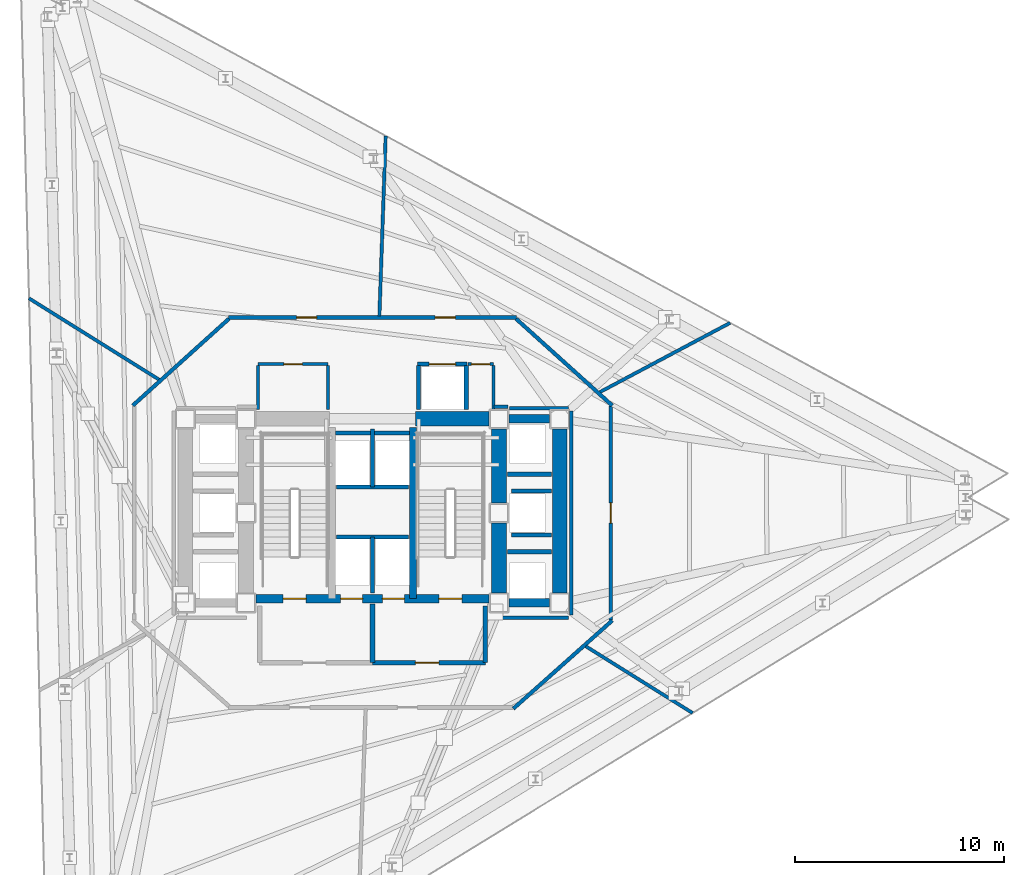
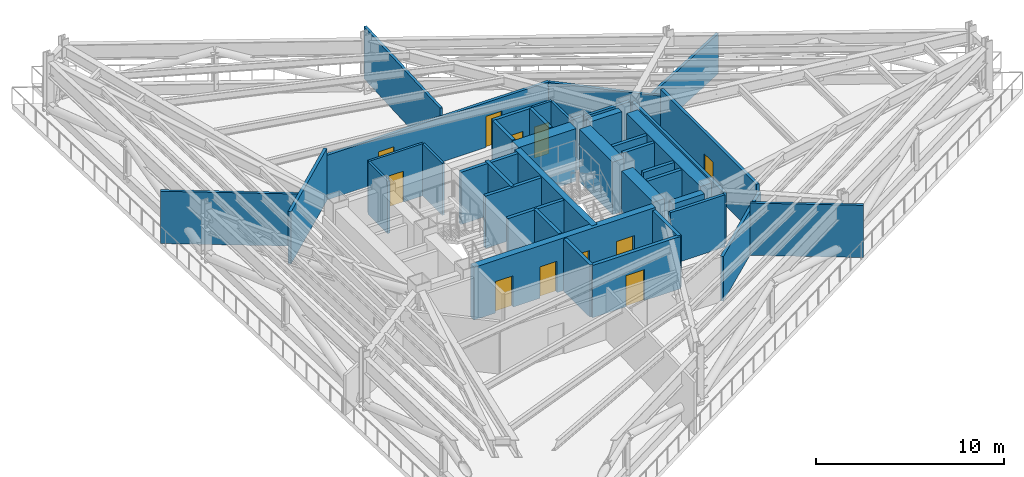
# One storey, part 6 of 10: 41 walls, 11 doors, 11 openings.
"""IFC4 building model written with IfcOpenShell, lengths in metres."""

from ifc_helpers import new_model, si_unit, direction, frame, frame_2d, origin, place, context, subcontext, project, spatial, rectangle, extrude, material, layer, layer_set, type_object, element, fill, save


model = new_model("IFC4")

# Units and contexts
model_context = context("Model", 3, precision=1e-05, world=origin(), true_north=direction((0.0, 1.0)))
body_context = subcontext(model_context, "Body", "Model", "MODEL_VIEW")
ifc_project = project(units=[si_unit("LENGTHUNIT", "METRE"), si_unit("AREAUNIT", "SQUARE_METRE"), si_unit("VOLUMEUNIT", "CUBIC_METRE"), si_unit("PLANEANGLEUNIT", "RADIAN"), si_unit("MASSUNIT", "GRAM", prefix="KILO")], contexts=[model_context])

# Site, building, storey
site_placement = place(None, origin())
site = spatial("IfcSite", under=ifc_project, at=site_placement, CompositionType="ELEMENT")
building_placement = place(site_placement, origin())
building = spatial("IfcBuilding", under=site, at=building_placement, Name="Rocaltana Carrier Exchange", CompositionType="ELEMENT")
storey_placement = place(building_placement, frame((0.0, 0.0, 45.760009765625)))
storey = spatial("IfcBuildingStorey", under=building, at=storey_placement, Name="L14", CompositionType="ELEMENT", Elevation=45.760009765625)

# Walls
ifc_material_1 = material(Name="Double Acoustic Gypsum Partition", Category="gypsum")
ifc_layer_1 = layer(ifc_material_1, 0.159912109375)
ifc_layer_set_1 = layer_set([ifc_layer_1], Name="Double Acoustic Gypsum Partition")
wall_type_1 = type_object("IfcWallType", Name="Acoustic Studio Partition 160 EI60", PredefinedType="PARTITIONING", material=ifc_layer_set_1)
wall_1_placement = place(storey_placement, frame((10.201904296875, -6.375, 0.0), z_axis=(0.0, 0.0, 1.0), x_axis=(0.848052957344, -0.529911484627, 0.0)))
element("IfcWall", 1, at=wall_1_placement, inside=storey, type_object=wall_type_1, Name="L14 Suite Divider Wall D3", PredefinedType="PARTITIONING", context=body_context, shape_type="SweptSolid", body=[
    extrude(rectangle(XDim=6.0224609375, YDim=0.159912109375, at=frame_2d((3.01123046875, 0.0))), origin(), (0.0, 0.0, 1.0), 3.39306640625),
])
wall_2_placement = place(storey_placement, frame((10.874267578125, 5.781982421875, 0.0), z_axis=(0.0, 0.0, 1.0), x_axis=(0.882939204237, 0.469487339149, 0.0)))
element("IfcWall", 2, at=wall_2_placement, inside=storey, type_object=wall_type_1, Name="L14 Suite Divider Wall D4", PredefinedType="PARTITIONING", context=body_context, shape_type="SweptSolid", body=[
    extrude(rectangle(XDim=7.05810546875, YDim=0.159912109375, at=frame_2d((3.529052734375, 0.0))), origin(), (0.0, 0.0, 1.0), 2.60009765625),
])
wall_3_placement = place(storey_placement, frame((0.329345703125, 9.429931640625, 0.0), z_axis=(0.0, 0.0, 1.0), x_axis=(0.034877981251, 0.999391578123, 0.0)))
element("IfcWall", 3, at=wall_3_placement, inside=storey, type_object=wall_type_1, Name="L14 Suite Divider Wall D5", PredefinedType="PARTITIONING", context=body_context, shape_type="SweptSolid", body=[
    extrude(rectangle(XDim=8.61669921875, YDim=0.159912109375, at=frame_2d((4.308349609375, 0.0))), origin(), (0.0, 0.0, 1.0), 3.39306640625),
])
wall_4_placement = place(storey_placement, frame((-10.2109375, 6.380615234375, 0.0), z_axis=(0.0, 0.0, 1.0), x_axis=(-0.848061887973, 0.529897192073, 0.0)))
element("IfcWall", 4, at=wall_4_placement, inside=storey, type_object=wall_type_1, Name="L14 Suite Divider Wall D6", PredefinedType="PARTITIONING", context=body_context, shape_type="SweptSolid", body=[
    extrude(rectangle(XDim=7.33349609375, YDim=0.159912109375, at=frame_2d((3.666748046875, 0.0))), origin(), (0.0, 0.0, 1.0), 3.39306640625),
])
ifc_material_2 = material(Name="Concrete C50/60", Category="concrete")
ifc_layer_2 = layer(ifc_material_2, 0.35009765625)
ifc_layer_set_2 = layer_set([ifc_layer_2], Name="Concrete C50/60")
wall_type_2 = type_object("IfcWallType", Name="Core Internal Shear Wall 350", PredefinedType="SHEAR", material=ifc_layer_set_2)
wall_5_placement = place(storey_placement, frame((1.93994140625, -4.10009765625, 0.0), z_axis=(0.0, 0.0, 1.0), x_axis=(0.0, 1.0, 0.0)))
element("IfcWall", 5, at=wall_5_placement, inside=storey, type_object=wall_type_2, Name="L14 Core Shear Wall CW-STE", PredefinedType="SHEAR", context=body_context, shape_type="SweptSolid", body=[
    extrude(rectangle(XDim=8.2001953125, YDim=0.35009765625, at=frame_2d((4.10009765625, 0.0))), origin(), (0.0, 0.0, 1.0), 3.41796875),
])

# Wall, openings, doors
ifc_material_3 = material(Name="Concrete C50/60", Category="concrete")
ifc_layer_3 = layer(ifc_material_3, 0.39990234375)
ifc_layer_set_3 = layer_set([ifc_layer_3], Name="Concrete C50/60")
wall_type_3 = type_object("IfcWallType", Name="Core Internal Shear Wall 400", PredefinedType="SHEAR", material=ifc_layer_set_3)
wall_6_placement = place(storey_placement, frame((-5.574951171875, -4.10009765625, 0.0), z_axis=(0.0, 0.0, 1.0), x_axis=(1.0, 0.0, 0.0)))
wall_6 = element("IfcWall", 6, at=wall_6_placement, inside=storey, type_object=wall_type_3, Name="L14 Core Shear Wall CW-S", PredefinedType="SHEAR", context=body_context, shape_type="SweptSolid", body=[
    extrude(rectangle(XDim=11.14990234375, YDim=0.39990234375, at=frame_2d((5.574951171875, 0.0))), origin(), (0.0, 0.0, 1.0), 3.41796875),
])
opening_1_placement = place(wall_6_placement, frame((1.304931640625, 0.0, 0.0)))
opening_1 = element("IfcOpeningElement", 7, at=opening_1_placement, cuts=wall_6, Name="Opening D-ST110", PredefinedType="OPENING", context=body_context, shape_type="SweptSolid", body=[
    extrude(rectangle(XDim=1.10009765625, YDim=2.0400390625, at=frame_2d((0.550048828125, 1.02001953125))), frame((0.0, 0.2099609375, 0.0), z_axis=(0.0, -1.0, 0.0), x_axis=(1.0, 0.0, 0.0)), (0.0, 0.0, 1.0), 0.419921875),
])
opening_2_placement = place(wall_6_placement, frame((8.7451171875, 0.0, 0.0)))
opening_2 = element("IfcOpeningElement", 8, at=opening_2_placement, cuts=wall_6, Name="Opening D-ST110", PredefinedType="OPENING", context=body_context, shape_type="SweptSolid", body=[
    extrude(rectangle(XDim=1.10009765625, YDim=2.0400390625, at=frame_2d((0.550048828125, 1.02001953125))), frame((0.0, 0.2099609375, 0.0), z_axis=(0.0, -1.0, 0.0), x_axis=(1.0, 0.0, 0.0)), (0.0, 0.0, 1.0), 0.419921875),
])
opening_3_placement = place(wall_6_placement, frame((4.044921875, 0.0, 0.0)))
opening_3 = element("IfcOpeningElement", 9, at=opening_3_placement, cuts=wall_6, Name="Opening LD-110", PredefinedType="OPENING", context=body_context, shape_type="SweptSolid", body=[
    extrude(rectangle(XDim=1.06005859375, YDim=2.0400390625, at=frame_2d((0.530029296875, 1.02001953125))), frame((0.0, 0.2099609375, 0.0), z_axis=(0.0, -1.0, 0.0), x_axis=(1.0, 0.0, 0.0)), (0.0, 0.0, 1.0), 0.419921875),
])
opening_4_placement = place(wall_6_placement, frame((6.044921875, 0.0, 0.0)))
opening_4 = element("IfcOpeningElement", 10, at=opening_4_placement, cuts=wall_6, Name="Opening LD-110", PredefinedType="OPENING", context=body_context, shape_type="SweptSolid", body=[
    extrude(rectangle(XDim=1.06005859375, YDim=2.0400390625, at=frame_2d((0.530029296875, 1.02001953125))), frame((0.0, 0.2099609375, 0.0), z_axis=(0.0, -1.0, 0.0), x_axis=(1.0, 0.0, 0.0)), (0.0, 0.0, 1.0), 0.419921875),
])
ifc_material_4 = material(Name="Hollow Metal Fire Door Assembly", Category="steel")
door_type_1 = type_object("IfcDoorType", Name="Exit Stair Fire Door 1100x2040 FD90S", OperationType="NOTDEFINED", PredefinedType="DOOR", material=ifc_material_4)
door_1_placement = place(opening_1_placement, origin())
door_1 = element("IfcDoor", 11, at=door_1_placement, inside=storey, type_object=door_type_1, Name="L14 Exit Stair ST1 Fire Door", OperationType="SINGLE_SWING_RIGHT", OverallHeight=2.0400390625, OverallWidth=1.10009765625, PredefinedType="DOOR", context=body_context, shape_type="SweptSolid", body=[
    extrude(rectangle(XDim=1.10009765625, YDim=2.0400390625, at=frame_2d((0.550048828125, 1.02001953125))), frame((0.0, 0.02490234375, 0.0), z_axis=(0.0, -1.0, 0.0), x_axis=(1.0, 0.0, 0.0)), (0.0, 0.0, 1.0), 0.050048828125),
])
fill(opening_1, door_1)
door_2_placement = place(opening_2_placement, origin())
door_2 = element("IfcDoor", 12, at=door_2_placement, inside=storey, type_object=door_type_1, Name="L14 Exit Stair ST2 Fire Door", OperationType="SINGLE_SWING_LEFT", OverallHeight=2.0400390625, OverallWidth=1.10009765625, PredefinedType="DOOR", context=body_context, shape_type="SweptSolid", body=[
    extrude(rectangle(XDim=1.10009765625, YDim=2.0400390625, at=frame_2d((0.550048828125, 1.02001953125))), frame((0.0, 0.02490234375, 0.0), z_axis=(0.0, -1.0, 0.0), x_axis=(1.0, 0.0, 0.0)), (0.0, 0.0, 1.0), 0.050048828125),
])
fill(opening_2, door_2)
ifc_material_5 = material(Name="Brushed Stainless Sliding Door Leaf", Category="steel")
door_type_2 = type_object("IfcDoorType", Name="Lift Landing Sliding Door 1060x2040", OperationType="NOTDEFINED", PredefinedType="DOOR", material=ifc_material_5)
door_3_placement = place(opening_3_placement, origin())
door_3 = element("IfcDoor", 13, at=door_3_placement, inside=storey, type_object=door_type_2, Name="L14 Firefighting Lift FFL1 Landing Door", OperationType="SLIDING_TO_LEFT", OverallHeight=2.0400390625, OverallWidth=1.06005859375, PredefinedType="DOOR", context=body_context, shape_type="SweptSolid", body=[
    extrude(rectangle(XDim=1.06005859375, YDim=2.0400390625, at=frame_2d((0.530029296875, 1.02001953125))), frame((0.0, 0.02490234375, 0.0), z_axis=(0.0, -1.0, 0.0), x_axis=(1.0, 0.0, 0.0)), (0.0, 0.0, 1.0), 0.050048828125),
])
fill(opening_3, door_3)
door_4_placement = place(opening_4_placement, origin())
door_4 = element("IfcDoor", 14, at=door_4_placement, inside=storey, type_object=door_type_2, Name="L14 Firefighting Lift FFL2 Landing Door", OperationType="SLIDING_TO_RIGHT", OverallHeight=2.0400390625, OverallWidth=1.06005859375, PredefinedType="DOOR", context=body_context, shape_type="SweptSolid", body=[
    extrude(rectangle(XDim=1.06005859375, YDim=2.0400390625, at=frame_2d((0.530029296875, 1.02001953125))), frame((0.0, 0.02490234375, 0.0), z_axis=(0.0, -1.0, 0.0), x_axis=(1.0, 0.0, 0.0)), (0.0, 0.0, 1.0), 0.050048828125),
])
fill(opening_4, door_4)

# Walls
for number, where, z_axis, x_axis, name in (
    (15, (6.52490234375, 4.5, 0.0), (0.0, 0.0, 1.0), (1.0, 0.0, 0.0), "L14 Core Shear Wall CW-EWN"),
    (16, (6.52490234375, -4.300048828125, 0.0), (0.0, 0.0, 1.0), (1.0, 0.0, 0.0), "L14 Core Shear Wall CW-EWS"),
):
    element("IfcWall", number, at=place(storey_placement, frame(where, z_axis=z_axis, x_axis=x_axis)), inside=storey, type_object=wall_type_3, Name=name, PredefinedType="SHEAR", context=body_context, shape_type="SweptSolid", body=[
        extrude(rectangle(XDim=1.9501953125, YDim=0.39990234375, at=frame_2d((0.97509765625, 0.0))), origin(), (0.0, 0.0, 1.0), 3.41796875),
    ])
ifc_material_6 = material(Name="Concrete C60/75", Category="concrete")
ifc_layer_4 = layer(ifc_material_6, 0.699951171875)
ifc_layer_set_4 = layer_set([ifc_layer_4], Name="Concrete C60/75")
wall_type_4 = type_object("IfcWallType", Name="Core Shear Wall 700", PredefinedType="SHEAR", material=ifc_layer_set_4)
wall_7_placement = place(storey_placement, frame((6.050048828125, 0.47509765625, 0.0), z_axis=(0.0, 0.0, 1.0), x_axis=(0.0, 1.0, 0.0)))
element("IfcWall", 17, at=wall_7_placement, inside=storey, type_object=wall_type_4, Name="L14 Core Shear Wall CW-EN", PredefinedType="SHEAR", context=body_context, shape_type="SweptSolid", body=[
    extrude(rectangle(XDim=3.5498046875, YDim=0.699951171875, at=frame_2d((1.77490234375, 0.0))), origin(), (0.0, 0.0, 1.0), 3.41796875),
])
wall_8_placement = place(storey_placement, frame((6.050048828125, -3.824951171875, 0.0), z_axis=(0.0, 0.0, 1.0), x_axis=(0.0, 1.0, 0.0)))
element("IfcWall", 18, at=wall_8_placement, inside=storey, type_object=wall_type_4, Name="L14 Core Shear Wall CW-ES", PredefinedType="SHEAR", context=body_context, shape_type="SweptSolid", body=[
    extrude(rectangle(XDim=3.349853515625, YDim=0.699951171875, at=frame_2d((1.6748046875, 0.0))), origin(), (0.0, 0.0, 1.0), 3.41796875),
])
wall_9_placement = place(storey_placement, frame((2.050048828125, 4.5, 0.0), z_axis=(0.0, 0.0, 1.0), x_axis=(1.0, 0.0, 0.0)))
element("IfcWall", 19, at=wall_9_placement, inside=storey, type_object=wall_type_4, Name="L14 Core Shear Wall CW-N2", PredefinedType="SHEAR", context=body_context, shape_type="SweptSolid", body=[
    extrude(rectangle(XDim=3.52490234375, YDim=0.699951171875, at=frame_2d((1.762451171875, 0.0))), origin(), (0.0, 0.0, 1.0), 3.41796875),
])
wall_10_placement = place(storey_placement, frame((8.949951171875, -3.824951171875, 0.0), z_axis=(0.0, 0.0, 1.0), x_axis=(0.0, 1.0, 0.0)))
element("IfcWall", 20, at=wall_10_placement, inside=storey, type_object=wall_type_4, Name="L14 Core Shear Wall CW-EW", PredefinedType="SHEAR", context=body_context, shape_type="SweptSolid", body=[
    extrude(rectangle(XDim=7.849853515625, YDim=0.699951171875, at=frame_2d((3.9248046875, 0.0))), origin(), (0.0, 0.0, 1.0), 3.41796875),
])

# Wall, openings, doors
ifc_material_7 = material(Name="Gypsum & Steel Stud Partition", Category="steel")
ifc_layer_5 = layer(ifc_material_7, 0.179931640625)
ifc_layer_set_5 = layer_set([ifc_layer_5], Name="Gypsum & Steel Stud Partition")
wall_type_5 = type_object("IfcWallType", Name="Corridor Fire Partition 180 EI60", PredefinedType="PARTITIONING", material=ifc_layer_set_5)
wall_11_placement = place(storey_placement, frame((-6.889892578125, 9.35009765625, 0.0), z_axis=(0.0, 0.0, 1.0), x_axis=(1.0, 0.0, 0.0)))
wall_11 = element("IfcWall", 21, at=wall_11_placement, inside=storey, type_object=wall_type_5, Name="L14 Corridor Partition 1", PredefinedType="PARTITIONING", context=body_context, shape_type="SweptSolid", body=[
    extrude(rectangle(XDim=13.77978515625, YDim=0.179931640625, at=frame_2d((6.889892578125, 0.0))), origin(), (0.0, 0.0, 1.0), 2.906982421875),
])
opening_5_placement = place(wall_11_placement, frame((9.889404296875, 0.0, 0.0)))
opening_5 = element("IfcOpeningElement", 22, at=opening_5_placement, cuts=wall_11, Name="Opening D-RM098", PredefinedType="OPENING", context=body_context, shape_type="SweptSolid", body=[
    extrude(rectangle(XDim=0.9599609375, YDim=2.02001953125, at=frame_2d((0.47998046875, 1.010009765625))), frame((0.0, 0.099853515625, 0.0), z_axis=(0.0, -1.0, 0.0), x_axis=(1.0, 0.0, 0.0)), (0.0, 0.0, 1.0), 0.199951171875),
])
opening_6_placement = place(wall_11_placement, frame((3.260009765625, 0.0, 0.0)))
opening_6 = element("IfcOpeningElement", 23, at=opening_6_placement, cuts=wall_11, Name="Opening D-RM098", PredefinedType="OPENING", context=body_context, shape_type="SweptSolid", body=[
    extrude(rectangle(XDim=0.9599609375, YDim=2.02001953125, at=frame_2d((0.47998046875, 1.010009765625))), frame((0.0, 0.099853515625, 0.0), z_axis=(0.0, -1.0, 0.0), x_axis=(1.0, 0.0, 0.0)), (0.0, 0.0, 1.0), 0.199951171875),
])
ifc_material_8 = material(Name="Engineered Hardwood Timber", Category="wood")
door_type_3 = type_object("IfcDoorType", Name="Workspace Single Door 960x2020", OperationType="NOTDEFINED", PredefinedType="DOOR", material=ifc_material_8)
door_5_placement = place(opening_5_placement, origin())
door_5 = element("IfcDoor", 24, at=door_5_placement, inside=storey, type_object=door_type_3, Name="L14 Primary Electrical Switchgear Room Entrance Door", OperationType="SINGLE_SWING_LEFT", OverallHeight=2.02001953125, OverallWidth=0.9599609375, PredefinedType="DOOR", context=body_context, shape_type="SweptSolid", body=[
    extrude(rectangle(XDim=0.9599609375, YDim=2.02001953125, at=frame_2d((0.47998046875, 1.010009765625))), frame((0.0, 0.02490234375, 0.0), z_axis=(0.0, -1.0, 0.0), x_axis=(1.0, 0.0, 0.0)), (0.0, 0.0, 1.0), 0.050048828125),
])
fill(opening_5, door_5)
door_6_placement = place(opening_6_placement, origin())
door_6 = element("IfcDoor", 25, at=door_6_placement, inside=storey, type_object=door_type_3, Name="L14 Thermal Hydronic Pump Room Entrance Door", OperationType="SINGLE_SWING_RIGHT", OverallHeight=2.02001953125, OverallWidth=0.9599609375, PredefinedType="DOOR", context=body_context, shape_type="SweptSolid", body=[
    extrude(rectangle(XDim=0.9599609375, YDim=2.02001953125, at=frame_2d((0.47998046875, 1.010009765625))), frame((0.0, 0.02490234375, 0.0), z_axis=(0.0, -1.0, 0.0), x_axis=(1.0, 0.0, 0.0)), (0.0, 0.0, 1.0), 0.050048828125),
])
fill(opening_6, door_6)

# Wall
wall_12_placement = place(storey_placement, frame((6.86669921875, 9.289794921875, 0.0), z_axis=(0.0, 0.0, 1.0), x_axis=(0.742486327971, -0.669861219042, 0.0)))
element("IfcWall", 26, at=wall_12_placement, inside=storey, type_object=wall_type_5, Name="L14 Corridor Partition 2", PredefinedType="PARTITIONING", context=body_context, shape_type="SweptSolid", body=[
    extrude(rectangle(XDim=6.195556640625, YDim=0.179931640625, at=frame_2d((3.09765625, 0.0))), origin(), (0.0, 0.0, 1.0), 2.906982421875),
])

# Wall, opening, door
wall_13_placement = place(storey_placement, frame((11.39990234375, 5.110107421875, 0.0), z_axis=(0.0, 0.0, 1.0), x_axis=(0.0, -1.0, 0.0)))
wall_13 = element("IfcWall", 27, at=wall_13_placement, inside=storey, type_object=wall_type_5, Name="L14 Corridor Partition 3", PredefinedType="PARTITIONING", context=body_context, shape_type="SweptSolid", body=[
    extrude(rectangle(XDim=10.22021484375, YDim=0.179931640625, at=frame_2d((5.110107421875, 0.0))), origin(), (0.0, 0.0, 1.0), 3.39306640625),
])
opening_7_placement = place(wall_13_placement, frame((4.6298828125, 0.0, 0.0)))
opening_7 = element("IfcOpeningElement", 28, at=opening_7_placement, cuts=wall_13, Name="Opening D-RM098", PredefinedType="OPENING", context=body_context, shape_type="SweptSolid", body=[
    extrude(rectangle(XDim=0.9599609375, YDim=2.02001953125, at=frame_2d((0.47998046875, 1.010009765625))), frame((0.0, 0.099853515625, 0.0), z_axis=(0.0, -1.0, 0.0), x_axis=(1.0, 0.0, 0.0)), (0.0, 0.0, 1.0), 0.199951171875),
])
door_7_placement = place(opening_7_placement, origin())
door_7 = element("IfcDoor", 29, at=door_7_placement, inside=storey, type_object=door_type_3, Name="L14 Adiabatic Chiller Plant Room Entrance Door", OperationType="SINGLE_SWING_RIGHT", OverallHeight=2.02001953125, OverallWidth=0.9599609375, PredefinedType="DOOR", context=body_context, shape_type="SweptSolid", body=[
    extrude(rectangle(XDim=0.9599609375, YDim=2.02001953125, at=frame_2d((0.47998046875, 1.010009765625))), frame((0.0, 0.02490234375, 0.0), z_axis=(0.0, -1.0, 0.0), x_axis=(1.0, 0.0, 0.0)), (0.0, 0.0, 1.0), 0.050048828125),
])
fill(opening_7, door_7)

# Walls
wall_14_placement = place(storey_placement, frame((11.46728515625, -5.14013671875, 0.0), z_axis=(0.0, 0.0, 1.0), x_axis=(-0.746516597114, -0.665366793756, 0.0)))
element("IfcWall", 30, at=wall_14_placement, inside=storey, type_object=wall_type_5, Name="L14 Corridor Partition 4", PredefinedType="PARTITIONING", context=body_context, shape_type="SweptSolid", body=[
    extrude(rectangle(XDim=6.342041015625, YDim=0.179931640625, at=frame_2d((3.1708984375, 0.0))), origin(), (0.0, 0.0, 1.0), 2.906982421875),
])
wall_15_placement = place(storey_placement, frame((-11.466796875, 5.1396484375, 0.0), z_axis=(0.0, 0.0, 1.0), x_axis=(0.742486327971, 0.669861219042, 0.0)))
element("IfcWall", 31, at=wall_15_placement, inside=storey, type_object=wall_type_5, Name="L14 Corridor Partition 8", PredefinedType="PARTITIONING", context=body_context, shape_type="SweptSolid", body=[
    extrude(rectangle(XDim=6.195556640625, YDim=0.179931640625, at=frame_2d((3.09765625, 0.0))), origin(), (0.0, 0.0, 1.0), 3.39306640625),
])
wall_16_placement = place(storey_placement, frame((6.030029296875, -5.010009765625, 0.0), z_axis=(0.0, 0.0, 1.0), x_axis=(1.0, 0.0, 0.0)))
element("IfcWall", 32, at=wall_16_placement, inside=storey, type_object=wall_type_5, Name="L14 Corridor Partition 13", PredefinedType="PARTITIONING", context=body_context, shape_type="SweptSolid", body=[
    extrude(rectangle(XDim=3.340087890625, YDim=0.179931640625, at=frame_2d((1.669921875, 0.0))), origin(), (0.0, 0.0, 1.0), 3.39306640625),
])
wall_17_placement = place(storey_placement, frame((9.510009765625, -4.8701171875, 0.0), z_axis=(0.0, 0.0, 1.0), x_axis=(0.0, 1.0, 0.0)))
element("IfcWall", 33, at=wall_17_placement, inside=storey, type_object=wall_type_5, Name="L14 Corridor Partition 14", PredefinedType="PARTITIONING", context=body_context, shape_type="SweptSolid", body=[
    extrude(rectangle(XDim=9.740234375, YDim=0.179931640625, at=frame_2d((4.8701171875, 0.0))), origin(), (0.0, 0.0, 1.0), 3.39306640625),
])
wall_18_placement = place(storey_placement, frame((9.3701171875, 5.010009765625, 0.0), z_axis=(0.0, 0.0, 1.0), x_axis=(-1.0, 0.0, 0.0)))
element("IfcWall", 34, at=wall_18_placement, inside=storey, type_object=wall_type_5, Name="L14 Corridor Partition 15", PredefinedType="PARTITIONING", context=body_context, shape_type="SweptSolid", body=[
    extrude(rectangle(XDim=2.807861328125, YDim=0.179931640625, at=frame_2d((1.40380859375, 0.0))), origin(), (0.0, 0.0, 1.0), 3.39306640625),
])
wall_19_placement = place(storey_placement, frame((6.469970703125, 5.080078125, 0.0), z_axis=(0.0, 0.0, 1.0), x_axis=(-1.0, 0.0, 0.0)))
element("IfcWall", 35, at=wall_19_placement, inside=storey, type_object=wall_type_5, Name="L14 Corridor Partition 16", PredefinedType="PARTITIONING", context=body_context, shape_type="SweptSolid", body=[
    extrude(rectangle(XDim=0.64990234375, YDim=0.179931640625, at=frame_2d((0.324951171875, 0.0))), origin(), (0.0, 0.0, 1.0), 3.39306640625),
])
ifc_material_9 = material(Name="Autoclaved Aerated Concrete C30/37", Category="concrete")
ifc_layer_6 = layer(ifc_material_9, 0.219970703125)
ifc_layer_set_6 = layer_set([ifc_layer_6], Name="Autoclaved Aerated Concrete C30/37")
wall_type_6 = type_object("IfcWallType", Name="Firefighting Lobby Wall 220 EI120", PredefinedType="PARTITIONING", material=ifc_layer_set_6)
wall_20_placement = place(storey_placement, frame((5.39990234375, -7.159912109375, 0.0), z_axis=(0.0, 0.0, 1.0), x_axis=(0.0, 1.0, 0.0)))
element("IfcWall", 36, at=wall_20_placement, inside=storey, type_object=wall_type_6, Name="L14 FFL Lobby 2 East Wall", PredefinedType="PARTITIONING", context=body_context, shape_type="SweptSolid", body=[
    extrude(rectangle(XDim=2.7099609375, YDim=0.219970703125, at=frame_2d((1.35498046875, 0.0))), origin(), (0.0, 0.0, 1.0), 3.39306640625),
])
wall_21_placement = place(storey_placement, frame((0.0, -7.159912109375, 0.0), z_axis=(0.0, 0.0, 1.0), x_axis=(0.0, 1.0, 0.0)))
element("IfcWall", 37, at=wall_21_placement, inside=storey, type_object=wall_type_6, Name="L14 FFL Lobby Centre Wall", PredefinedType="PARTITIONING", context=body_context, shape_type="SweptSolid", body=[
    extrude(rectangle(XDim=2.809814453125, YDim=0.219970703125, at=frame_2d((1.40478515625, 0.0))), origin(), (0.0, 0.0, 1.0), 3.39306640625),
])

# Wall, opening, door
wall_22_placement = place(storey_placement, frame((0.0, -7.159912109375, 0.0), z_axis=(0.0, 0.0, 1.0), x_axis=(1.0, 0.0, 0.0)))
wall_22 = element("IfcWall", 38, at=wall_22_placement, inside=storey, type_object=wall_type_6, Name="L14 FFL Lobby 2 South Wall", PredefinedType="PARTITIONING", context=body_context, shape_type="SweptSolid", body=[
    extrude(rectangle(XDim=5.39990234375, YDim=0.219970703125, at=frame_2d((2.699951171875, 0.0))), origin(), (0.0, 0.0, 1.0), 3.39306640625),
])
opening_8_placement = place(wall_22_placement, frame((2.050048828125, 0.0, 0.0)))
opening_8 = element("IfcOpeningElement", 39, at=opening_8_placement, cuts=wall_22, Name="Opening D-FF115", PredefinedType="OPENING", context=body_context, shape_type="SweptSolid", body=[
    extrude(rectangle(XDim=1.1201171875, YDim=2.02001953125, at=frame_2d((0.56005859375, 1.010009765625))), frame((0.0, 0.119873046875, 0.0), z_axis=(0.0, -1.0, 0.0), x_axis=(1.0, 0.0, 0.0)), (0.0, 0.0, 1.0), 0.239990234375),
])
ifc_material_10 = material(Name="Hollow Metal Fire Door Assembly", Category="steel")
door_type_4 = type_object("IfcDoorType", Name="Firefighting Lobby Door 1120x2020 FD60S", OperationType="NOTDEFINED", PredefinedType="DOOR", material=ifc_material_10)
door_8_placement = place(opening_8_placement, origin())
door_8 = element("IfcDoor", 40, at=door_8_placement, inside=storey, type_object=door_type_4, Name="L14 Firefighting Lift Lobby 2 Door", OperationType="SINGLE_SWING_LEFT", OverallHeight=2.02001953125, OverallWidth=1.1201171875, PredefinedType="DOOR", context=body_context, shape_type="SweptSolid", body=[
    extrude(rectangle(XDim=1.1201171875, YDim=2.02001953125, at=frame_2d((0.56005859375, 1.010009765625))), frame((0.0, 0.02490234375, 0.0), z_axis=(0.0, -1.0, 0.0), x_axis=(1.0, 0.0, 0.0)), (0.0, 0.0, 1.0), 0.050048828125),
])
fill(opening_8, door_8)

# Walls
ifc_material_11 = material(Name="Reinforced Concrete Block C35/45", Category="concrete")
ifc_layer_7 = layer(ifc_material_11, 0.199951171875)
ifc_layer_set_7 = layer_set([ifc_layer_7], Name="Reinforced Concrete Block C35/45")
wall_type_7 = type_object("IfcWallType", Name="Lift Hoistway Enclosure Wall 200 EI120", PredefinedType="PARTITIONING", material=ifc_layer_set_7)
wall_23_placement = place(storey_placement, frame((0.0, -3.820068359375, 0.0), z_axis=(0.0, 0.0, 1.0), x_axis=(0.0, 1.0, 0.0)))
element("IfcWall", 41, at=wall_23_placement, inside=storey, type_object=wall_type_7, Name="L14 FFL Shaft Divider", PredefinedType="PARTITIONING", context=body_context, shape_type="SweptSolid", body=[
    extrude(rectangle(XDim=2.670166015625, YDim=0.199951171875, at=frame_2d((1.3349609375, 0.0))), origin(), (0.0, 0.0, 1.0), 3.39306640625),
])
wall_24_placement = place(storey_placement, frame((-1.719970703125, -1.14990234375, 0.0), z_axis=(0.0, 0.0, 1.0), x_axis=(1.0, 0.0, 0.0)))
element("IfcWall", 42, at=wall_24_placement, inside=storey, type_object=wall_type_7, Name="L14 FFL Shaft Back Wall", PredefinedType="PARTITIONING", context=body_context, shape_type="SweptSolid", body=[
    extrude(rectangle(XDim=3.43994140625, YDim=0.199951171875, at=frame_2d((1.719970703125, 0.0))), origin(), (0.0, 0.0, 1.0), 3.39306640625),
])
wall_25_placement = place(storey_placement, frame((0.0, 1.25, 0.0), z_axis=(0.0, 0.0, 1.0), x_axis=(0.0, 1.0, 0.0)))
element("IfcWall", 43, at=wall_25_placement, inside=storey, type_object=wall_type_7, Name="L14 High-Rise Shaft Divider", PredefinedType="PARTITIONING", context=body_context, shape_type="SweptSolid", body=[
    extrude(rectangle(XDim=2.77001953125, YDim=0.199951171875, at=frame_2d((1.385009765625, 0.0))), origin(), (0.0, 0.0, 1.0), 3.39306640625),
])
wall_26_placement = place(storey_placement, frame((-1.719970703125, 1.25, 0.0), z_axis=(0.0, 0.0, 1.0), x_axis=(1.0, 0.0, 0.0)))
element("IfcWall", 44, at=wall_26_placement, inside=storey, type_object=wall_type_7, Name="L14 High-Rise Shaft Back Wall", PredefinedType="PARTITIONING", context=body_context, shape_type="SweptSolid", body=[
    extrude(rectangle(XDim=3.43994140625, YDim=0.199951171875, at=frame_2d((1.719970703125, 0.0))), origin(), (0.0, 0.0, 1.0), 3.39306640625),
])
wall_27_placement = place(storey_placement, frame((-1.760009765625, 3.820068359375, 0.0), z_axis=(0.0, 0.0, 1.0), x_axis=(1.0, 0.0, 0.0)))
element("IfcWall", 45, at=wall_27_placement, inside=storey, type_object=wall_type_7, Name="L14 High-Rise Lift Front Wall", PredefinedType="PARTITIONING", context=body_context, shape_type="SweptSolid", body=[
    extrude(rectangle(XDim=3.52001953125, YDim=0.199951171875, at=frame_2d((1.760009765625, 0.0))), origin(), (0.0, 0.0, 1.0), 3.39306640625),
])
for number, where, z_axis, x_axis, name in (
    (46, (2.199951171875, 4.949951171875, 0.0), (0.0, 0.0, 1.0), (0.0, 1.0, 0.0), "L14 Goods Lift West Wall"),
    (47, (4.47998046875, 4.949951171875, 0.0), (0.0, 0.0, 1.0), (0.0, 1.0, 0.0), "L14 Goods Lift East Wall"),
):
    element("IfcWall", number, at=place(storey_placement, frame(where, z_axis=z_axis, x_axis=x_axis)), inside=storey, type_object=wall_type_7, Name=name, PredefinedType="PARTITIONING", context=body_context, shape_type="SweptSolid", body=[
        extrude(rectangle(XDim=2.10009765625, YDim=0.199951171875, at=frame_2d((1.050048828125, 0.0))), origin(), (0.0, 0.0, 1.0), 3.39306640625),
    ])

# Wall, opening, door
wall_28_placement = place(storey_placement, frame((2.14990234375, 7.1201171875, 0.0), z_axis=(0.0, 0.0, 1.0), x_axis=(1.0, 0.0, 0.0)))
wall_28 = element("IfcWall", 48, at=wall_28_placement, inside=storey, type_object=wall_type_7, Name="L14 Goods Lift Front Wall", PredefinedType="PARTITIONING", context=body_context, shape_type="SweptSolid", body=[
    extrude(rectangle(XDim=2.380126953125, YDim=0.199951171875, at=frame_2d((1.18994140625, 0.0))), origin(), (0.0, 0.0, 1.0), 3.39306640625),
])
opening_9_placement = place(wall_28_placement, frame((0.56005859375, 0.0, 0.0)))
opening_9 = element("IfcOpeningElement", 49, at=opening_9_placement, cuts=wall_28, Name="Opening LD-130", PredefinedType="OPENING", context=body_context, shape_type="SweptSolid", body=[
    extrude(rectangle(XDim=1.260009765625, YDim=2.06005859375, at=frame_2d((0.6298828125, 1.030029296875))), frame((0.0, 0.10986328125, 0.0), z_axis=(0.0, -1.0, 0.0), x_axis=(1.0, 0.0, 0.0)), (0.0, 0.0, 1.0), 0.219970703125),
])
ifc_material_12 = material(Name="Brushed Stainless Sliding Door Leaf", Category="steel")
door_type_5 = type_object("IfcDoorType", Name="Goods Lift Landing Sliding Door 1260x2060", OperationType="NOTDEFINED", PredefinedType="DOOR", material=ifc_material_12)
door_9_placement = place(opening_9_placement, origin())
door_9 = element("IfcDoor", 50, at=door_9_placement, inside=storey, type_object=door_type_5, Name="L14 Goods Lift GL-1 Landing Door", OperationType="SLIDING_TO_LEFT", OverallHeight=2.06005859375, OverallWidth=1.260009765625, PredefinedType="DOOR", context=body_context, shape_type="SweptSolid", body=[
    extrude(rectangle(XDim=1.260009765625, YDim=2.06005859375, at=frame_2d((0.6298828125, 1.030029296875))), frame((0.0, 0.02490234375, 0.0), z_axis=(0.0, -1.0, 0.0), x_axis=(1.0, 0.0, 0.0)), (0.0, 0.0, 1.0), 0.050048828125),
])
fill(opening_9, door_9)

# Walls
for number, where, z_axis, x_axis, name in (
    (51, (6.449951171875, -1.85009765625, 0.0), (0.0, 0.0, 1.0), (1.0, 0.0, 0.0), "L14 Mid-Rise Shaft Divider 1"),
    (52, (6.449951171875, 1.85009765625, 0.0), (0.0, 0.0, 1.0), (1.0, 0.0, 0.0), "L14 Mid-Rise Shaft Divider 2"),
):
    element("IfcWall", number, at=place(storey_placement, frame(where, z_axis=z_axis, x_axis=x_axis)), inside=storey, type_object=wall_type_7, Name=name, PredefinedType="PARTITIONING", context=body_context, shape_type="SweptSolid", body=[
        extrude(rectangle(XDim=2.10009765625, YDim=0.199951171875, at=frame_2d((1.050048828125, 0.0))), origin(), (0.0, 0.0, 1.0), 3.39306640625),
    ])
for number, where, z_axis, x_axis, name in (
    (53, (6.639892578125, -1.050048828125, 0.0), (0.0, 0.0, 1.0), (1.0, 0.0, 0.0), "L14 Mid-Rise Center Shaft Wall South"),
    (54, (6.639892578125, 1.050048828125, 0.0), (0.0, 0.0, 1.0), (1.0, 0.0, 0.0), "L14 Mid-Rise Center Shaft Wall North"),
):
    element("IfcWall", number, at=place(storey_placement, frame(where, z_axis=z_axis, x_axis=x_axis)), inside=storey, type_object=wall_type_7, Name=name, PredefinedType="PARTITIONING", context=body_context, shape_type="SweptSolid", body=[
        extrude(rectangle(XDim=1.91015625, YDim=0.199951171875, at=frame_2d((0.955078125, 0.0))), origin(), (0.0, 0.0, 1.0), 3.39306640625),
    ])
ifc_material_13 = material(Name="Moisture-Resistant Masonry C30/37", Category="masonry")
ifc_layer_8 = layer(ifc_material_13, 0.139892578125)
ifc_layer_set_8 = layer_set([ifc_layer_8], Name="Moisture-Resistant Masonry C30/37")
wall_type_8 = type_object("IfcWallType", Name="Wet-Area Sanitary Partition 140", PredefinedType="PARTITIONING", material=ifc_layer_set_8)
for number, where, z_axis, x_axis, name in (
    (55, (-5.47998046875, 4.949951171875, 0.0), (0.0, 0.0, 1.0), (0.0, 1.0, 0.0), "L14 Sanitary West Wall"),
    (56, (-2.1201171875, 4.949951171875, 0.0), (0.0, 0.0, 1.0), (0.0, 1.0, 0.0), "L14 Sanitary East Wall"),
):
    element("IfcWall", number, at=place(storey_placement, frame(where, z_axis=z_axis, x_axis=x_axis)), inside=storey, type_object=wall_type_8, Name=name, PredefinedType="PARTITIONING", context=body_context, shape_type="SweptSolid", body=[
        extrude(rectangle(XDim=2.10009765625, YDim=0.139892578125, at=frame_2d((1.050048828125, 0.0))), origin(), (0.0, 0.0, 1.0), 3.39306640625),
    ])

# Wall, opening, door
wall_29_placement = place(storey_placement, frame((-5.47998046875, 7.1201171875, 0.0), z_axis=(0.0, 0.0, 1.0), x_axis=(1.0, 0.0, 0.0)))
wall_29 = element("IfcWall", 57, at=wall_29_placement, inside=storey, type_object=wall_type_8, Name="L14 Sanitary North Wall", PredefinedType="PARTITIONING", context=body_context, shape_type="SweptSolid", body=[
    extrude(rectangle(XDim=3.35986328125, YDim=0.139892578125, at=frame_2d((1.679931640625, 0.0))), origin(), (0.0, 0.0, 1.0), 3.39306640625),
])
opening_10_placement = place(wall_29_placement, frame((1.239990234375, 0.0, 0.0)))
opening_10 = element("IfcOpeningElement", 58, at=opening_10_placement, cuts=wall_29, Name="Opening D-WC090", PredefinedType="OPENING", context=body_context, shape_type="SweptSolid", body=[
    extrude(rectangle(XDim=0.8798828125, YDim=2.02001953125, at=frame_2d((0.43994140625, 1.010009765625))), frame((0.0, 0.079833984375, 0.0), z_axis=(0.0, -1.0, 0.0), x_axis=(1.0, 0.0, 0.0)), (0.0, 0.0, 1.0), 0.159912109375),
])
ifc_material_14 = material(Name="High-Pressure Laminate Timber", Category="wood")
door_type_6 = type_object("IfcDoorType", Name="Restroom & Accessible WC Door 880x2020", OperationType="NOTDEFINED", PredefinedType="DOOR", material=ifc_material_14)
door_10_placement = place(opening_10_placement, origin())
door_10 = element("IfcDoor", 59, at=door_10_placement, inside=storey, type_object=door_type_6, Name="L14 Accessible Toilet Door", OperationType="SINGLE_SWING_RIGHT", OverallHeight=2.02001953125, OverallWidth=0.8798828125, PredefinedType="DOOR", context=body_context, shape_type="SweptSolid", body=[
    extrude(rectangle(XDim=0.8798828125, YDim=2.02001953125, at=frame_2d((0.43994140625, 1.010009765625))), frame((0.0, 0.02490234375, 0.0), z_axis=(0.0, -1.0, 0.0), x_axis=(1.0, 0.0, 0.0)), (0.0, 0.0, 1.0), 0.050048828125),
])
fill(opening_10, door_10)

# Wall
wall_30_placement = place(storey_placement, frame((5.780029296875, 4.949951171875, 0.0), z_axis=(0.0, 0.0, 1.0), x_axis=(0.0, 1.0, 0.0)))
element("IfcWall", 60, at=wall_30_placement, inside=storey, type_object=wall_type_8, Name="L14 Restroom East Wall", PredefinedType="PARTITIONING", context=body_context, shape_type="SweptSolid", body=[
    extrude(rectangle(XDim=2.10009765625, YDim=0.139892578125, at=frame_2d((1.050048828125, 0.0))), origin(), (0.0, 0.0, 1.0), 3.39306640625),
])

# Wall, opening, door
wall_31_placement = place(storey_placement, frame((4.56005859375, 7.1201171875, 0.0), z_axis=(0.0, 0.0, 1.0), x_axis=(1.0, 0.0, 0.0)))
wall_31 = element("IfcWall", 61, at=wall_31_placement, inside=storey, type_object=wall_type_8, Name="L14 Restroom North Wall", PredefinedType="PARTITIONING", context=body_context, shape_type="SweptSolid", body=[
    extrude(rectangle(XDim=1.219970703125, YDim=0.139892578125, at=frame_2d((0.60986328125, 0.0))), origin(), (0.0, 0.0, 1.0), 3.39306640625),
])
opening_11_placement = place(wall_31_placement, frame((0.169921875, 0.0, 0.0)))
opening_11 = element("IfcOpeningElement", 62, at=opening_11_placement, cuts=wall_31, Name="Opening D-WC090", PredefinedType="OPENING", context=body_context, shape_type="SweptSolid", body=[
    extrude(rectangle(XDim=0.8798828125, YDim=2.02001953125, at=frame_2d((0.43994140625, 1.010009765625))), frame((0.0, 0.079833984375, 0.0), z_axis=(0.0, -1.0, 0.0), x_axis=(1.0, 0.0, 0.0)), (0.0, 0.0, 1.0), 0.159912109375),
])
door_11_placement = place(opening_11_placement, origin())
door_11 = element("IfcDoor", 63, at=door_11_placement, inside=storey, type_object=door_type_6, Name="L14 Staff Restroom Door", OperationType="SINGLE_SWING_LEFT", OverallHeight=2.02001953125, OverallWidth=0.8798828125, PredefinedType="DOOR", context=body_context, shape_type="SweptSolid", body=[
    extrude(rectangle(XDim=0.8798828125, YDim=2.02001953125, at=frame_2d((0.43994140625, 1.010009765625))), frame((0.0, 0.02490234375, 0.0), z_axis=(0.0, -1.0, 0.0), x_axis=(1.0, 0.0, 0.0)), (0.0, 0.0, 1.0), 0.050048828125),
])
fill(opening_11, door_11)

save(model, "model.ifc")
